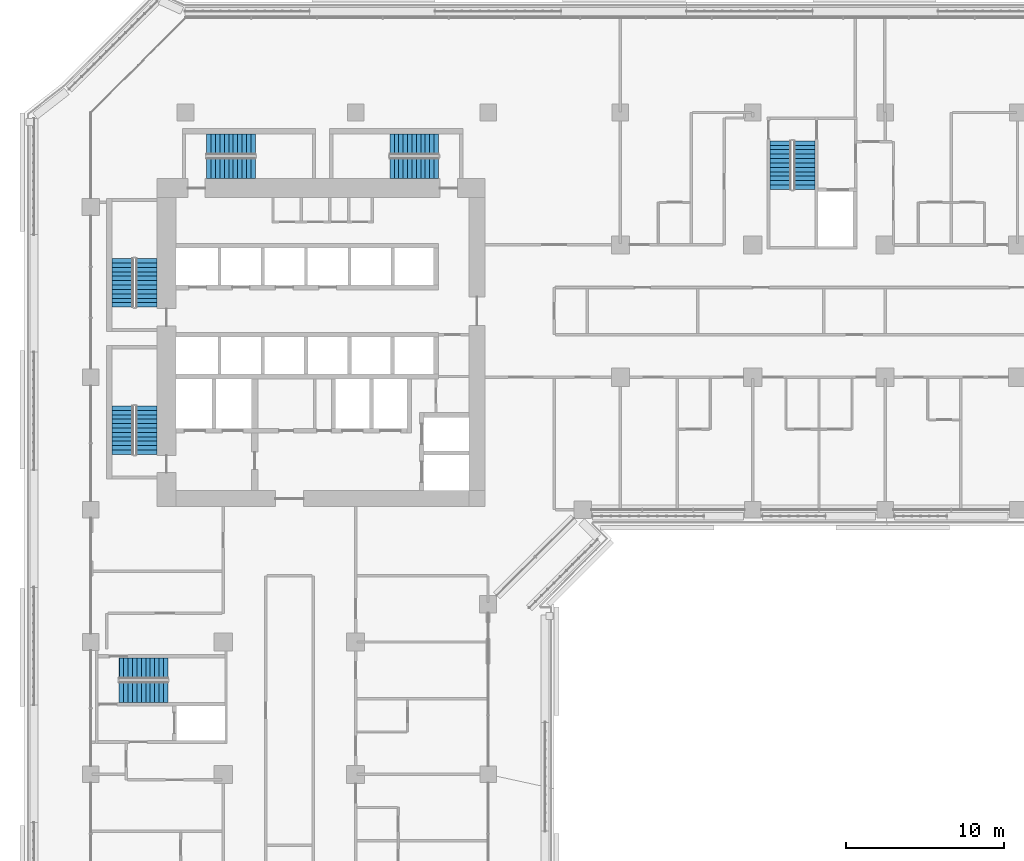
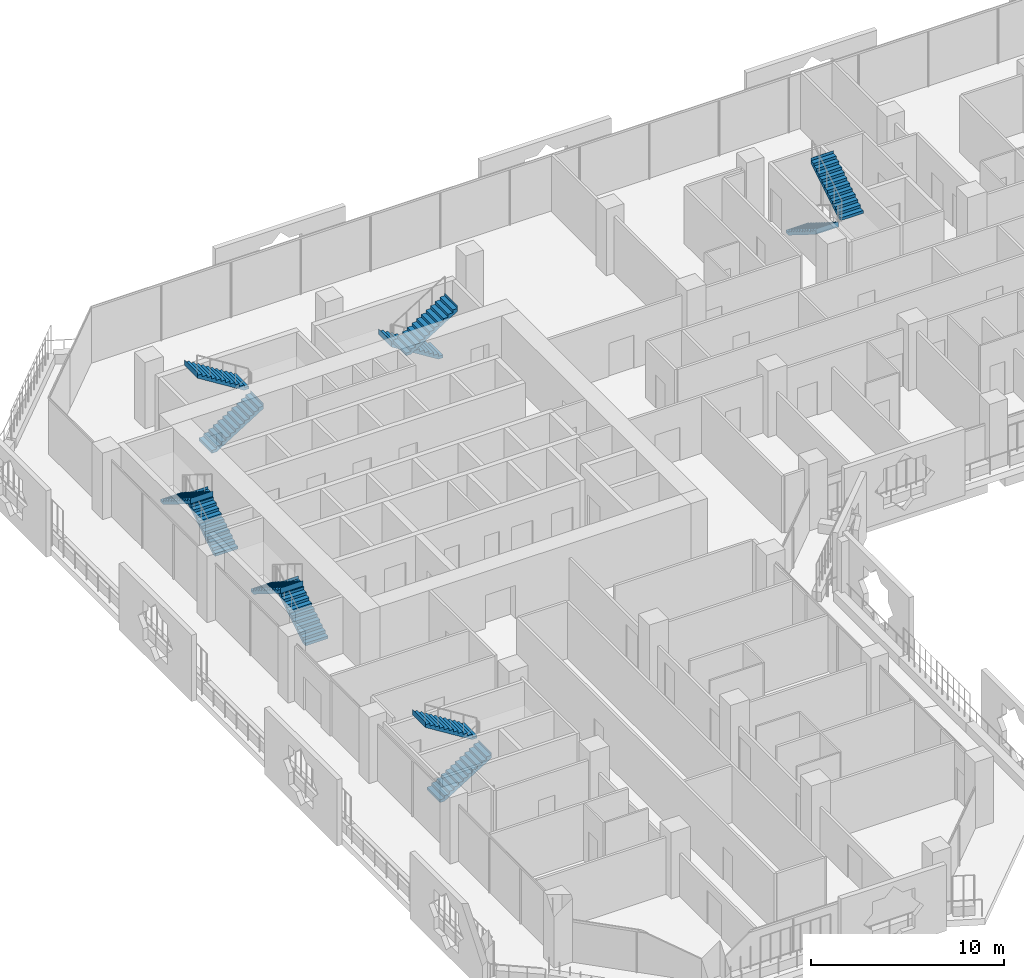
# One storey, part 19 of 27: 12 stair flights, 6 elements without a shape of their own.
"""IFC4 building model written with IfcOpenShell, lengths in metres."""

import ifcopenshell
import ifcopenshell.guid

model = None  # the IFC model being written
_history = None  # IfcOwnerHistory: only IFC2X3 demands one
_inside = {}  # id of a spatial element -> (the spatial element, [elements in it])
_under = {}  # id of a project, library or spatial element -> (it, [spatial elements below it])
_declared = {}  # id of a project -> (the project, [libraries it declares])
_typed = {}  # id of a type object -> (the type object, [elements of that type])
_made_of = {}  # id of a material, layer set ... -> (it, [elements and type objects made of it])


def new_model(schema):
    """Start an empty IFC model of exactly this schema.

    Asked for "IFC4X3", IfcOpenShell would pick the latest addendum, in which some entities
    have other attributes; the version numbers below select the first issue.
    IFC2X3 requires an IfcOwnerHistory on every rooted entity: one is made here for all.
    """
    global model, _history
    if schema == "IFC4X3":
        model = ifcopenshell.file(schema_version=(4, 3, 0, 0))
    else:
        model = ifcopenshell.file(schema=schema)
    _inside.clear()
    _under.clear()
    _declared.clear()
    _typed.clear()
    _made_of.clear()
    _history = None
    if model.schema == "IFC2X3":
        org = make("IfcOrganization", Name="unknown")
        user = make(
            "IfcPersonAndOrganization",
            ThePerson=make("IfcPerson", FamilyName="unknown"),
            TheOrganization=org,
        )
        app = make(
            "IfcApplication",
            ApplicationDeveloper=org,
            Version="unknown",
            ApplicationFullName="unknown",
            ApplicationIdentifier="unknown",
        )
        _history = make(
            "IfcOwnerHistory",
            OwningUser=user,
            OwningApplication=app,
            ChangeAction="ADDED",
            CreationDate=0,
        )
    return model


def make(cls, **values):
    """One entity of the class cls with the attributes given. An attribute that is None is left unset."""
    return model.create_entity(
        cls, **{name: value for name, value in values.items() if value is not None}
    )


def rooted(cls, **values):
    """An entity with a GlobalId (a new one), such as an element, a storey or a relation."""
    return make(cls, GlobalId=ifcopenshell.guid.new(), OwnerHistory=_history, **values)


def si_unit(unit_type, name, prefix=None):
    """IfcSIUnit, for example si_unit("LENGTHUNIT", "METRE", prefix="MILLI")."""
    return make("IfcSIUnit", UnitType=unit_type, Prefix=prefix, Name=name)


def assignment(units):
    """IfcUnitAssignment: the units of a project."""
    return None if units is None else make("IfcUnitAssignment", Units=units)


def point(xyz):
    """IfcCartesianPoint."""
    return None if xyz is None else make("IfcCartesianPoint", Coordinates=xyz)


def direction(xyz):
    """IfcDirection."""
    return None if xyz is None else make("IfcDirection", DirectionRatios=xyz)


def frame(location, z_axis=None, x_axis=None):
    """IfcAxis2Placement3D, a coordinate frame: its origin and axes. An axis left out is left unset."""
    return make(
        "IfcAxis2Placement3D",
        Location=point(location),
        Axis=direction(z_axis),
        RefDirection=direction(x_axis),
    )


def origin():
    """The frame at (0, 0, 0) with its axes left unset."""
    return frame((0.0, 0.0, 0.0))


def place(relative_to, where):
    """IfcLocalPlacement: puts the frame where relative to a parent placement (None: the world)."""
    return make(
        "IfcLocalPlacement", PlacementRelTo=relative_to, RelativePlacement=where
    )


def context(
    kind, dimensions, precision=None, world=None, true_north=None, identifier=None
):
    """IfcGeometricRepresentationContext, for example the 3D "Model" context."""
    return make(
        "IfcGeometricRepresentationContext",
        ContextIdentifier=identifier,
        ContextType=kind,
        CoordinateSpaceDimension=dimensions,
        Precision=precision,
        WorldCoordinateSystem=world,
        TrueNorth=true_north,
    )


def subcontext(parent, identifier, kind, view, scale=None):
    """IfcGeometricRepresentationSubContext, for example "Body" below "Model"."""
    return make(
        "IfcGeometricRepresentationSubContext",
        ContextIdentifier=identifier,
        ContextType=kind,
        ParentContext=parent,
        TargetScale=scale,
        TargetView=view,
    )


def project(units=None, contexts=None):
    """IfcProject with its units and contexts."""
    return rooted(
        "IfcProject",
        Name="project",
        RepresentationContexts=contexts,
        UnitsInContext=assignment(units),
    )


def spatial(cls, under=None, at=None, **own):
    """A site, building, storey or space (cls), placed at a placement, below another one or the project."""
    s = rooted(cls, ObjectPlacement=at, **own)
    if under is not None:
        _under.setdefault(under.id(), (under, []))[1].append(s)
    return s


def polyline(points):
    """IfcPolyline through the points."""
    return make("IfcPolyline", Points=[point(p) for p in points])


def outline(outer, holes=None, kind="AREA"):
    """IfcArbitraryClosedProfileDef: a profile drawn as a closed curve; with holes, ...WithVoids."""
    if holes is None:
        return make("IfcArbitraryClosedProfileDef", ProfileType=kind, OuterCurve=outer)
    return make(
        "IfcArbitraryProfileDefWithVoids",
        ProfileType=kind,
        OuterCurve=outer,
        InnerCurves=holes,
    )


def extrude(swept, where, along, depth):
    """IfcExtrudedAreaSolid: the profile swept, set in the frame where, extruded along a direction by depth."""
    return make(
        "IfcExtrudedAreaSolid",
        SweptArea=swept,
        Position=where,
        ExtrudedDirection=direction(along),
        Depth=depth,
    )


def shape(context_of_items, identifier, shape_type, items):
    """IfcShapeRepresentation: the items that make up one representation, for example the "Body"."""
    return make(
        "IfcShapeRepresentation",
        ContextOfItems=context_of_items,
        RepresentationIdentifier=identifier,
        RepresentationType=shape_type,
        Items=items,
    )


def material(Name=None, Category=None):
    """IfcMaterial."""
    return make("IfcMaterial", Name=Name, Category=Category)


def made_of(thing, what):
    """Note that an element or type object is made of a material, layer set ...; save() writes the relation."""
    if what is not None:
        _made_of.setdefault(what.id(), (what, []))[1].append(thing)
    return thing


def type_object(cls, material=None, **own):
    """A type object (cls), such as IfcWallType, which elements share."""
    return made_of(rooted(cls, **own), material)


def element(
    cls,
    number,
    at=None,
    inside=None,
    cuts=None,
    type_object=None,
    material=None,
    context=None,
    identifier="Body",
    shape_type=None,
    held_by="IfcProductDefinitionShape",
    body=None,
    shapes=None,
    **own,
):
    """One element of the class cls, such as IfcWall. Its Tag is "e" and its number.

    at: its placement. inside: the storey or other place that contains it. cuts: it is an
    opening in that element (IfcRelVoidsElement). A single representation is given by context,
    identifier, shape_type and body (its items); several are given by shapes. held_by: the class
    of the entity that holds the representations. save() writes the other relations.
    """
    e = rooted(cls, Tag="e%d" % number, ObjectPlacement=at, **own)
    if body is not None:
        shapes = [shape(context, identifier, shape_type, body)]
    if shapes is not None:
        e.Representation = make(held_by, Representations=shapes)
    if inside is not None:
        _inside.setdefault(inside.id(), (inside, []))[1].append(e)
    if cuts is not None:
        rooted(
            "IfcRelVoidsElement", RelatingBuildingElement=cuts, RelatedOpeningElement=e
        )
    if type_object is not None:
        _typed.setdefault(type_object.id(), (type_object, []))[1].append(e)
    return made_of(e, material)


def aggregate(whole, parts):
    """IfcRelAggregates: a whole, such as a stair, and the parts it consists of."""
    return rooted("IfcRelAggregates", RelatingObject=whole, RelatedObjects=parts)


def save(model, path):
    """Write the relations noted so far, then the file.

    IfcRelAggregates (storeys below a building ...), IfcRelContainedInSpatialStructure (elements
    in a storey), IfcRelDefinesByType, IfcRelAssociatesMaterial and IfcRelDeclares: one each for
    every whole, place, type object, material and project.
    """
    for whole, parts in _under.values():
        aggregate(whole, parts)
    for where, things in _inside.values():
        rooted(
            "IfcRelContainedInSpatialStructure",
            RelatedElements=things,
            RelatingStructure=where,
        )
    for kind, things in _typed.values():
        rooted("IfcRelDefinesByType", RelatedObjects=things, RelatingType=kind)
    for what, things in _made_of.values():
        rooted("IfcRelAssociatesMaterial", RelatedObjects=things, RelatingMaterial=what)
    for by, libraries in _declared.values():
        rooted("IfcRelDeclares", RelatingContext=by, RelatedDefinitions=libraries)
    model.write(path)


model = new_model("IFC4")

# Units and contexts
model_context = context("Model", 3, precision=1e-05, world=origin(), true_north=direction((0.0, 1.0)))
body_context = subcontext(model_context, "Body", "Model", "MODEL_VIEW")
ifc_project = project(units=[si_unit("LENGTHUNIT", "METRE"), si_unit("AREAUNIT", "SQUARE_METRE"), si_unit("VOLUMEUNIT", "CUBIC_METRE"), si_unit("PLANEANGLEUNIT", "RADIAN"), si_unit("MASSUNIT", "GRAM", prefix="KILO")], contexts=[model_context])

# Site, building, storey
site_placement = place(None, origin())
site = spatial("IfcSite", under=ifc_project, at=site_placement, CompositionType="ELEMENT")
building_placement = place(site_placement, origin())
building = spatial("IfcBuilding", under=site, at=building_placement, Name="Kawkab Arch Medical Tower", CompositionType="ELEMENT")
storey_placement = place(building_placement, frame((0.0, 0.0, 115.60009765625)))
storey = spatial("IfcBuildingStorey", under=building, at=storey_placement, Name="L26", CompositionType="ELEMENT", Elevation=115.60009765625)

# Stair, stair flights
ifc_material_1 = material(Name="Concrete C40/50", Category="concrete")
stair_type = type_object("IfcStairType", Name="Exit stair 1350", PredefinedType="HALF_TURN_STAIR", material=ifc_material_1)
placement = place(storey_placement, origin())
stair_1 = element("IfcStair", 1, at=placement, inside=storey, type_object=stair_type, Name="L26 Exit stair ST1", PredefinedType="HALF_TURN_STAIR")
ifc_material_2 = material(Name="Concrete C40/50", Category="concrete")
stair_flight_type = type_object("IfcStairFlightType", Name="Exit stair flight 1350", PredefinedType="STRAIGHT", material=ifc_material_2)
stair_flight_1_placement = place(storey_placement, frame((3.52490234375, -12.35009765625, 0.0), z_axis=(0.0, 0.0, 1.0), x_axis=(0.0, 1.0, 0.0)))
stair_flight_1 = element("IfcStairFlight", 2, at=stair_flight_1_placement, type_object=stair_flight_type, Name="ST1 flight 1", NumberOfRisers=12, NumberOfTreads=11, PredefinedType="STRAIGHT", RiserHeight=0.175, TreadLength=0.28, context=body_context, shape_type="SweptSolid", body=[
    extrude(outline(polyline([(-0.0029296875, 0.0), (-0.0029296875, 0.175048828125), (0.0, 0.175048828125), (0.280029296875, 0.175048828125), (0.280029296875, 0.35009765625), (0.56005859375, 0.35009765625), (0.56005859375, 0.52490234375), (0.840087890625, 0.52490234375), (0.840087890625, 0.699951171875), (1.1201171875, 0.699951171875), (1.1201171875, 0.875), (1.39990234375, 0.875), (1.39990234375, 1.050048828125), (1.679931640625, 1.050048828125), (1.679931640625, 1.22509765625), (1.9599609375, 1.22509765625), (1.9599609375, 1.39990234375), (2.239990234375, 1.39990234375), (2.239990234375, 1.574951171875), (2.52001953125, 1.574951171875), (2.52001953125, 1.75), (2.800048828125, 1.75), (2.800048828125, 1.925048828125), (3.080078125, 1.925048828125), (3.080078125, 2.10009765625), (3.0830078125, 2.10009765625), (3.0830078125, 1.748291015625), (3.080078125, 1.748291015625), (0.28271484375, 0.0), (-0.0029296875, 0.0)])), frame((0.0, 0.675048828125, 0.0), z_axis=(0.0, -1.0, 0.0), x_axis=(1.0, 0.0, 0.0)), (0.0, 0.0, 1.0), 1.35009765625),
])
stair_flight_2_placement = place(storey_placement, frame((2.02490234375, -9.27001953125, 2.099853515625), z_axis=(0.0, 0.0, 1.0), x_axis=(0.0, -1.0, 0.0)))
stair_flight_2 = element("IfcStairFlight", 3, at=stair_flight_2_placement, type_object=stair_flight_type, Name="ST1 flight 2", NumberOfRisers=12, NumberOfTreads=11, PredefinedType="STRAIGHT", RiserHeight=0.175, TreadLength=0.28, context=body_context, shape_type="SweptSolid", body=[
    extrude(outline(polyline([(-0.0029296875, 0.0), (-0.0029296875, 0.175048828125), (0.0, 0.175048828125), (0.280029296875, 0.175048828125), (0.280029296875, 0.35009765625), (0.56005859375, 0.35009765625), (0.56005859375, 0.52490234375), (0.840087890625, 0.52490234375), (0.840087890625, 0.699951171875), (1.1201171875, 0.699951171875), (1.1201171875, 0.875), (1.39990234375, 0.875), (1.39990234375, 1.050048828125), (1.679931640625, 1.050048828125), (1.679931640625, 1.22509765625), (1.9599609375, 1.22509765625), (1.9599609375, 1.39990234375), (2.239990234375, 1.39990234375), (2.239990234375, 1.574951171875), (2.52001953125, 1.574951171875), (2.52001953125, 1.75), (2.800048828125, 1.75), (2.800048828125, 1.925048828125), (3.080078125, 1.925048828125), (3.080078125, 2.10009765625), (3.0830078125, 2.10009765625), (3.0830078125, 1.748291015625), (3.080078125, 1.748291015625), (0.28271484375, 0.0), (-0.0029296875, 0.0)])), frame((0.0, 0.675048828125, 0.0), z_axis=(0.0, -1.0, 0.0), x_axis=(1.0, 0.0, 0.0)), (0.0, 0.0, 1.0), 1.35009765625),
])
aggregate(stair_1, [stair_flight_1, stair_flight_2])

stair_2 = element("IfcStair", 4, at=placement, inside=storey, type_object=stair_type, Name="L26 Exit stair ST2", PredefinedType="HALF_TURN_STAIR")
stair_flight_3_placement = place(storey_placement, frame((3.52490234375, -21.699951171875, 0.0), z_axis=(0.0, 0.0, 1.0), x_axis=(0.0, 1.0, 0.0)))
stair_flight_3 = element("IfcStairFlight", 5, at=stair_flight_3_placement, type_object=stair_flight_type, Name="ST2 flight 1", NumberOfRisers=12, NumberOfTreads=11, PredefinedType="STRAIGHT", RiserHeight=0.175, TreadLength=0.28, context=body_context, shape_type="SweptSolid", body=[
    extrude(outline(polyline([(-0.0029296875, 0.0), (-0.0029296875, 0.175048828125), (0.0, 0.175048828125), (0.280029296875, 0.175048828125), (0.280029296875, 0.35009765625), (0.56005859375, 0.35009765625), (0.56005859375, 0.52490234375), (0.840087890625, 0.52490234375), (0.840087890625, 0.699951171875), (1.1201171875, 0.699951171875), (1.1201171875, 0.875), (1.39990234375, 0.875), (1.39990234375, 1.050048828125), (1.679931640625, 1.050048828125), (1.679931640625, 1.22509765625), (1.9599609375, 1.22509765625), (1.9599609375, 1.39990234375), (2.239990234375, 1.39990234375), (2.239990234375, 1.574951171875), (2.52001953125, 1.574951171875), (2.52001953125, 1.75), (2.800048828125, 1.75), (2.800048828125, 1.925048828125), (3.080078125, 1.925048828125), (3.080078125, 2.10009765625), (3.0830078125, 2.10009765625), (3.0830078125, 1.748291015625), (3.080078125, 1.748291015625), (0.28271484375, 0.0), (-0.0029296875, 0.0)])), frame((0.0, 0.675048828125, 0.0), z_axis=(0.0, -1.0, 0.0), x_axis=(1.0, 0.0, 0.0)), (0.0, 0.0, 1.0), 1.35009765625),
])
stair_flight_4_placement = place(storey_placement, frame((2.02490234375, -18.6201171875, 2.099853515625), z_axis=(0.0, 0.0, 1.0), x_axis=(0.0, -1.0, 0.0)))
stair_flight_4 = element("IfcStairFlight", 6, at=stair_flight_4_placement, type_object=stair_flight_type, Name="ST2 flight 2", NumberOfRisers=12, NumberOfTreads=11, PredefinedType="STRAIGHT", RiserHeight=0.175, TreadLength=0.28, context=body_context, shape_type="SweptSolid", body=[
    extrude(outline(polyline([(-0.0029296875, 0.0), (-0.0029296875, 0.175048828125), (0.0, 0.175048828125), (0.280029296875, 0.175048828125), (0.280029296875, 0.35009765625), (0.56005859375, 0.35009765625), (0.56005859375, 0.52490234375), (0.840087890625, 0.52490234375), (0.840087890625, 0.699951171875), (1.1201171875, 0.699951171875), (1.1201171875, 0.875), (1.39990234375, 0.875), (1.39990234375, 1.050048828125), (1.679931640625, 1.050048828125), (1.679931640625, 1.22509765625), (1.9599609375, 1.22509765625), (1.9599609375, 1.39990234375), (2.239990234375, 1.39990234375), (2.239990234375, 1.574951171875), (2.52001953125, 1.574951171875), (2.52001953125, 1.75), (2.800048828125, 1.75), (2.800048828125, 1.925048828125), (3.080078125, 1.925048828125), (3.080078125, 2.10009765625), (3.0830078125, 2.10009765625), (3.0830078125, 1.748291015625), (3.080078125, 1.748291015625), (0.28271484375, 0.0), (-0.0029296875, 0.0)])), frame((0.0, 0.675048828125, 0.0), z_axis=(0.0, -1.0, 0.0), x_axis=(1.0, 0.0, 0.0)), (0.0, 0.0, 1.0), 1.35009765625),
])
aggregate(stair_2, [stair_flight_3, stair_flight_4])

stair_3 = element("IfcStair", 7, at=placement, inside=storey, type_object=stair_type, Name="L26 Exit stair ST3", PredefinedType="HALF_TURN_STAIR")
stair_flight_5_placement = place(storey_placement, frame((7.35009765625, -3.52490234375, 0.0), z_axis=(0.0, 0.0, 1.0), x_axis=(1.0, 0.0, 0.0)))
stair_flight_5 = element("IfcStairFlight", 8, at=stair_flight_5_placement, type_object=stair_flight_type, Name="ST3 flight 1", NumberOfRisers=12, NumberOfTreads=11, PredefinedType="STRAIGHT", RiserHeight=0.175, TreadLength=0.28, context=body_context, shape_type="SweptSolid", body=[
    extrude(outline(polyline([(-0.0029296875, 0.0), (-0.0029296875, 0.175048828125), (0.0, 0.175048828125), (0.280029296875, 0.175048828125), (0.280029296875, 0.35009765625), (0.56005859375, 0.35009765625), (0.56005859375, 0.52490234375), (0.840087890625, 0.52490234375), (0.840087890625, 0.699951171875), (1.1201171875, 0.699951171875), (1.1201171875, 0.875), (1.39990234375, 0.875), (1.39990234375, 1.050048828125), (1.679931640625, 1.050048828125), (1.679931640625, 1.22509765625), (1.9599609375, 1.22509765625), (1.9599609375, 1.39990234375), (2.239990234375, 1.39990234375), (2.239990234375, 1.574951171875), (2.52001953125, 1.574951171875), (2.52001953125, 1.75), (2.800048828125, 1.75), (2.800048828125, 1.925048828125), (3.080078125, 1.925048828125), (3.080078125, 2.10009765625), (3.0830078125, 2.10009765625), (3.0830078125, 1.748291015625), (3.080078125, 1.748291015625), (0.28271484375, 0.0), (-0.0029296875, 0.0)])), frame((0.0, 0.675048828125, 0.0), z_axis=(0.0, -1.0, 0.0), x_axis=(1.0, 0.0, 0.0)), (0.0, 0.0, 1.0), 1.35009765625),
])
stair_flight_6_placement = place(storey_placement, frame((10.429931640625, -2.02490234375, 2.099853515625), z_axis=(0.0, 0.0, 1.0), x_axis=(-1.0, 0.0, 0.0)))
stair_flight_6 = element("IfcStairFlight", 9, at=stair_flight_6_placement, type_object=stair_flight_type, Name="ST3 flight 2", NumberOfRisers=12, NumberOfTreads=11, PredefinedType="STRAIGHT", RiserHeight=0.175, TreadLength=0.28, context=body_context, shape_type="SweptSolid", body=[
    extrude(outline(polyline([(-0.0029296875, 0.0), (-0.0029296875, 0.175048828125), (0.0, 0.175048828125), (0.280029296875, 0.175048828125), (0.280029296875, 0.35009765625), (0.56005859375, 0.35009765625), (0.56005859375, 0.52490234375), (0.840087890625, 0.52490234375), (0.840087890625, 0.699951171875), (1.1201171875, 0.699951171875), (1.1201171875, 0.875), (1.39990234375, 0.875), (1.39990234375, 1.050048828125), (1.679931640625, 1.050048828125), (1.679931640625, 1.22509765625), (1.9599609375, 1.22509765625), (1.9599609375, 1.39990234375), (2.239990234375, 1.39990234375), (2.239990234375, 1.574951171875), (2.52001953125, 1.574951171875), (2.52001953125, 1.75), (2.800048828125, 1.75), (2.800048828125, 1.925048828125), (3.080078125, 1.925048828125), (3.080078125, 2.10009765625), (3.0830078125, 2.10009765625), (3.0830078125, 1.748291015625), (3.080078125, 1.748291015625), (0.28271484375, 0.0), (-0.0029296875, 0.0)])), frame((0.0, 0.675048828125, 0.0), z_axis=(0.0, -1.0, 0.0), x_axis=(1.0, 0.0, 0.0)), (0.0, 0.0, 1.0), 1.35009765625),
])
aggregate(stair_3, [stair_flight_5, stair_flight_6])

stair_4 = element("IfcStair", 10, at=placement, inside=storey, type_object=stair_type, Name="L26 Exit stair ST4", PredefinedType="HALF_TURN_STAIR")
stair_flight_7_placement = place(storey_placement, frame((22.050048828125, -2.02490234375, 0.0), z_axis=(0.0, 0.0, 1.0), x_axis=(-1.0, 0.0, 0.0)))
stair_flight_7 = element("IfcStairFlight", 11, at=stair_flight_7_placement, type_object=stair_flight_type, Name="ST4 flight 1", NumberOfRisers=12, NumberOfTreads=11, PredefinedType="STRAIGHT", RiserHeight=0.175, TreadLength=0.28, context=body_context, shape_type="SweptSolid", body=[
    extrude(outline(polyline([(-0.0029296875, 0.0), (-0.0029296875, 0.175048828125), (0.0, 0.175048828125), (0.280029296875, 0.175048828125), (0.280029296875, 0.35009765625), (0.56005859375, 0.35009765625), (0.56005859375, 0.52490234375), (0.840087890625, 0.52490234375), (0.840087890625, 0.699951171875), (1.1201171875, 0.699951171875), (1.1201171875, 0.875), (1.39990234375, 0.875), (1.39990234375, 1.050048828125), (1.679931640625, 1.050048828125), (1.679931640625, 1.22509765625), (1.9599609375, 1.22509765625), (1.9599609375, 1.39990234375), (2.239990234375, 1.39990234375), (2.239990234375, 1.574951171875), (2.52001953125, 1.574951171875), (2.52001953125, 1.75), (2.800048828125, 1.75), (2.800048828125, 1.925048828125), (3.080078125, 1.925048828125), (3.080078125, 2.10009765625), (3.0830078125, 2.10009765625), (3.0830078125, 1.748291015625), (3.080078125, 1.748291015625), (0.28271484375, 0.0), (-0.0029296875, 0.0)])), frame((0.0, 0.675048828125, 0.0), z_axis=(0.0, -1.0, 0.0), x_axis=(1.0, 0.0, 0.0)), (0.0, 0.0, 1.0), 1.35009765625),
])
stair_flight_8_placement = place(storey_placement, frame((18.969970703125, -3.52490234375, 2.099853515625), z_axis=(0.0, 0.0, 1.0), x_axis=(1.0, 0.0, 0.0)))
stair_flight_8 = element("IfcStairFlight", 12, at=stair_flight_8_placement, type_object=stair_flight_type, Name="ST4 flight 2", NumberOfRisers=12, NumberOfTreads=11, PredefinedType="STRAIGHT", RiserHeight=0.175, TreadLength=0.28, context=body_context, shape_type="SweptSolid", body=[
    extrude(outline(polyline([(-0.0029296875, 0.0), (-0.0029296875, 0.175048828125), (0.0, 0.175048828125), (0.280029296875, 0.175048828125), (0.280029296875, 0.35009765625), (0.56005859375, 0.35009765625), (0.56005859375, 0.52490234375), (0.840087890625, 0.52490234375), (0.840087890625, 0.699951171875), (1.1201171875, 0.699951171875), (1.1201171875, 0.875), (1.39990234375, 0.875), (1.39990234375, 1.050048828125), (1.679931640625, 1.050048828125), (1.679931640625, 1.22509765625), (1.9599609375, 1.22509765625), (1.9599609375, 1.39990234375), (2.239990234375, 1.39990234375), (2.239990234375, 1.574951171875), (2.52001953125, 1.574951171875), (2.52001953125, 1.75), (2.800048828125, 1.75), (2.800048828125, 1.925048828125), (3.080078125, 1.925048828125), (3.080078125, 2.10009765625), (3.0830078125, 2.10009765625), (3.0830078125, 1.748291015625), (3.080078125, 1.748291015625), (0.28271484375, 0.0), (-0.0029296875, 0.0)])), frame((0.0, 0.675048828125, 0.0), z_axis=(0.0, -1.0, 0.0), x_axis=(1.0, 0.0, 0.0)), (0.0, 0.0, 1.0), 1.35009765625),
])
aggregate(stair_4, [stair_flight_7, stair_flight_8])

stair_5 = element("IfcStair", 13, at=placement, inside=storey, type_object=stair_type, Name="L26 Exit stair ST5", PredefinedType="HALF_TURN_STAIR")
stair_flight_9_placement = place(storey_placement, frame((43.77490234375, -1.800048828125, 0.0), z_axis=(0.0, 0.0, 1.0), x_axis=(0.0, -1.0, 0.0)))
stair_flight_9 = element("IfcStairFlight", 14, at=stair_flight_9_placement, type_object=stair_flight_type, Name="ST5 flight 1", NumberOfRisers=12, NumberOfTreads=11, PredefinedType="STRAIGHT", RiserHeight=0.175, TreadLength=0.28, context=body_context, shape_type="SweptSolid", body=[
    extrude(outline(polyline([(-0.0029296875, 0.0), (-0.0029296875, 0.175048828125), (0.0, 0.175048828125), (0.280029296875, 0.175048828125), (0.280029296875, 0.35009765625), (0.56005859375, 0.35009765625), (0.56005859375, 0.52490234375), (0.840087890625, 0.52490234375), (0.840087890625, 0.699951171875), (1.1201171875, 0.699951171875), (1.1201171875, 0.875), (1.39990234375, 0.875), (1.39990234375, 1.050048828125), (1.679931640625, 1.050048828125), (1.679931640625, 1.22509765625), (1.9599609375, 1.22509765625), (1.9599609375, 1.39990234375), (2.239990234375, 1.39990234375), (2.239990234375, 1.574951171875), (2.52001953125, 1.574951171875), (2.52001953125, 1.75), (2.800048828125, 1.75), (2.800048828125, 1.925048828125), (3.080078125, 1.925048828125), (3.080078125, 2.10009765625), (3.0830078125, 2.10009765625), (3.0830078125, 1.748291015625), (3.080078125, 1.748291015625), (0.28271484375, 0.0), (-0.0029296875, 0.0)])), frame((0.0, 0.675048828125, 0.0), z_axis=(0.0, -1.0, 0.0), x_axis=(1.0, 0.0, 0.0)), (0.0, 0.0, 1.0), 1.35009765625),
])
stair_flight_10_placement = place(storey_placement, frame((45.27490234375, -4.8798828125, 2.099853515625), z_axis=(0.0, 0.0, 1.0), x_axis=(0.0, 1.0, 0.0)))
stair_flight_10 = element("IfcStairFlight", 15, at=stair_flight_10_placement, type_object=stair_flight_type, Name="ST5 flight 2", NumberOfRisers=12, NumberOfTreads=11, PredefinedType="STRAIGHT", RiserHeight=0.175, TreadLength=0.28, context=body_context, shape_type="SweptSolid", body=[
    extrude(outline(polyline([(-0.0029296875, 0.0), (-0.0029296875, 0.175048828125), (0.0, 0.175048828125), (0.280029296875, 0.175048828125), (0.280029296875, 0.35009765625), (0.56005859375, 0.35009765625), (0.56005859375, 0.52490234375), (0.840087890625, 0.52490234375), (0.840087890625, 0.699951171875), (1.1201171875, 0.699951171875), (1.1201171875, 0.875), (1.39990234375, 0.875), (1.39990234375, 1.050048828125), (1.679931640625, 1.050048828125), (1.679931640625, 1.22509765625), (1.9599609375, 1.22509765625), (1.9599609375, 1.39990234375), (2.239990234375, 1.39990234375), (2.239990234375, 1.574951171875), (2.52001953125, 1.574951171875), (2.52001953125, 1.75), (2.800048828125, 1.75), (2.800048828125, 1.925048828125), (3.080078125, 1.925048828125), (3.080078125, 2.10009765625), (3.0830078125, 2.10009765625), (3.0830078125, 1.748291015625), (3.080078125, 1.748291015625), (0.28271484375, 0.0), (-0.0029296875, 0.0)])), frame((0.0, 0.675048828125, 0.0), z_axis=(0.0, -1.0, 0.0), x_axis=(1.0, 0.0, 0.0)), (0.0, 0.0, 1.0), 1.35009765625),
])
aggregate(stair_5, [stair_flight_9, stair_flight_10])

stair_6 = element("IfcStair", 16, at=placement, inside=storey, type_object=stair_type, Name="L26 Exit stair ST6", PredefinedType="HALF_TURN_STAIR")
stair_flight_11_placement = place(storey_placement, frame((1.800048828125, -36.77490234375, 0.0), z_axis=(0.0, 0.0, 1.0), x_axis=(1.0, 0.0, 0.0)))
stair_flight_11 = element("IfcStairFlight", 17, at=stair_flight_11_placement, type_object=stair_flight_type, Name="ST6 flight 1", NumberOfRisers=12, NumberOfTreads=11, PredefinedType="STRAIGHT", RiserHeight=0.175, TreadLength=0.28, context=body_context, shape_type="SweptSolid", body=[
    extrude(outline(polyline([(-0.0029296875, 0.0), (-0.0029296875, 0.175048828125), (0.0, 0.175048828125), (0.280029296875, 0.175048828125), (0.280029296875, 0.35009765625), (0.56005859375, 0.35009765625), (0.56005859375, 0.52490234375), (0.840087890625, 0.52490234375), (0.840087890625, 0.699951171875), (1.1201171875, 0.699951171875), (1.1201171875, 0.875), (1.39990234375, 0.875), (1.39990234375, 1.050048828125), (1.679931640625, 1.050048828125), (1.679931640625, 1.22509765625), (1.9599609375, 1.22509765625), (1.9599609375, 1.39990234375), (2.239990234375, 1.39990234375), (2.239990234375, 1.574951171875), (2.52001953125, 1.574951171875), (2.52001953125, 1.75), (2.800048828125, 1.75), (2.800048828125, 1.925048828125), (3.080078125, 1.925048828125), (3.080078125, 2.10009765625), (3.0830078125, 2.10009765625), (3.0830078125, 1.748291015625), (3.080078125, 1.748291015625), (0.28271484375, 0.0), (-0.0029296875, 0.0)])), frame((0.0, 0.675048828125, 0.0), z_axis=(0.0, -1.0, 0.0), x_axis=(1.0, 0.0, 0.0)), (0.0, 0.0, 1.0), 1.35009765625),
])
stair_flight_12_placement = place(storey_placement, frame((4.8798828125, -35.27490234375, 2.099853515625), z_axis=(0.0, 0.0, 1.0), x_axis=(-1.0, 0.0, 0.0)))
stair_flight_12 = element("IfcStairFlight", 18, at=stair_flight_12_placement, type_object=stair_flight_type, Name="ST6 flight 2", NumberOfRisers=12, NumberOfTreads=11, PredefinedType="STRAIGHT", RiserHeight=0.175, TreadLength=0.28, context=body_context, shape_type="SweptSolid", body=[
    extrude(outline(polyline([(-0.0029296875, 0.0), (-0.0029296875, 0.175048828125), (0.0, 0.175048828125), (0.280029296875, 0.175048828125), (0.280029296875, 0.35009765625), (0.56005859375, 0.35009765625), (0.56005859375, 0.52490234375), (0.840087890625, 0.52490234375), (0.840087890625, 0.699951171875), (1.1201171875, 0.699951171875), (1.1201171875, 0.875), (1.39990234375, 0.875), (1.39990234375, 1.050048828125), (1.679931640625, 1.050048828125), (1.679931640625, 1.22509765625), (1.9599609375, 1.22509765625), (1.9599609375, 1.39990234375), (2.239990234375, 1.39990234375), (2.239990234375, 1.574951171875), (2.52001953125, 1.574951171875), (2.52001953125, 1.75), (2.800048828125, 1.75), (2.800048828125, 1.925048828125), (3.080078125, 1.925048828125), (3.080078125, 2.10009765625), (3.0830078125, 2.10009765625), (3.0830078125, 1.748291015625), (3.080078125, 1.748291015625), (0.28271484375, 0.0), (-0.0029296875, 0.0)])), frame((0.0, 0.675048828125, 0.0), z_axis=(0.0, -1.0, 0.0), x_axis=(1.0, 0.0, 0.0)), (0.0, 0.0, 1.0), 1.35009765625),
])
aggregate(stair_6, [stair_flight_11, stair_flight_12])

save(model, "model.ifc")
